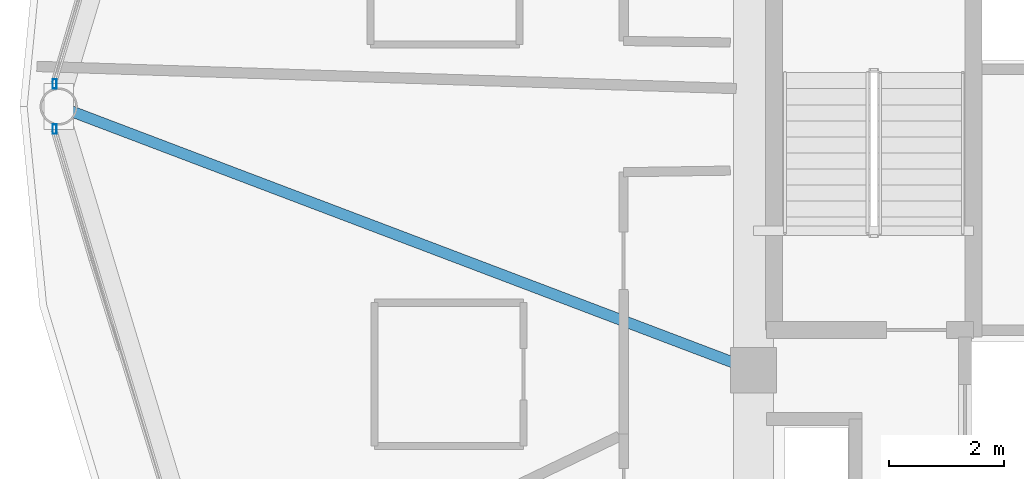
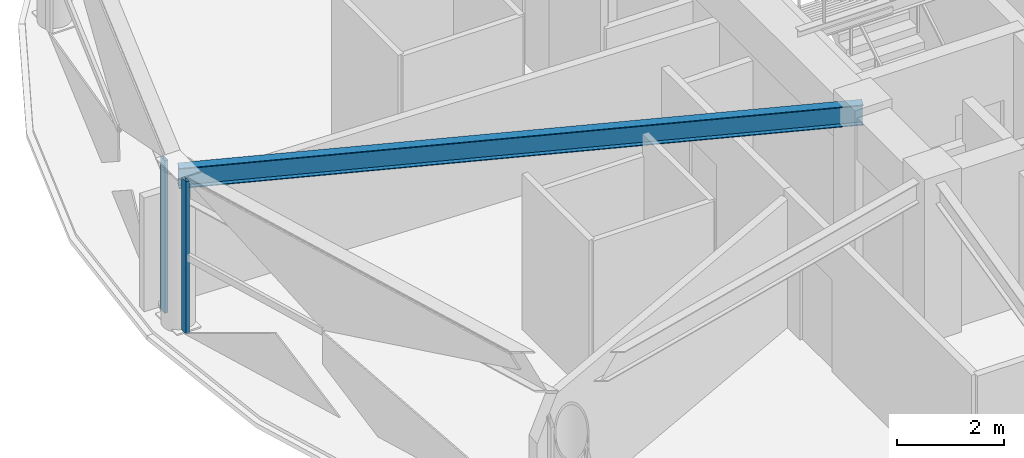
# One storey, part 7 of 28: 2 members, 1 beam, 2 elements without a shape of their own.
"""IFC4 building model written with IfcOpenShell, lengths in metres."""

from ifc_helpers import new_model, si_unit, direction, frame, origin, origin_2d, place, context, subcontext, project, spatial, hollow_rectangle, i_section, extrude, material, layer, layer_set, material_profile, profile_set, type_object, element, aggregate, save


model = new_model("IFC4")

# Units and contexts
model_context = context("Model", 3, precision=1e-05, world=origin(), true_north=direction((0.0, 1.0)))
body_context = subcontext(model_context, "Body", "Model", "MODEL_VIEW")
ifc_project = project(units=[si_unit("LENGTHUNIT", "METRE"), si_unit("AREAUNIT", "SQUARE_METRE"), si_unit("VOLUMEUNIT", "CUBIC_METRE"), si_unit("PLANEANGLEUNIT", "RADIAN"), si_unit("MASSUNIT", "GRAM", prefix="KILO")], contexts=[model_context])

# Site, building, storey
site_placement = place(None, origin())
site = spatial("IfcSite", under=ifc_project, at=site_placement, CompositionType="ELEMENT")
building_placement = place(site_placement, origin())
building = spatial("IfcBuilding", under=site, at=building_placement, Name="Vantalir Tower", CompositionType="ELEMENT")
storey_placement = place(building_placement, frame((0.0, 0.0, 238.64990234375)))
storey = spatial("IfcBuildingStorey", under=building, at=storey_placement, Name="L60", CompositionType="ELEMENT", Elevation=238.64990234375)

# Beam
ifc_material_1 = material(Name="Steel S355", Category="steel")
ifc_material_profile_1 = material_profile(ifc_material_1, i_section(OverallWidth=0.19189453125, OverallDepth=0.462890625, WebThickness=0.010498046875, FlangeThickness=0.017578125, at=origin_2d()), Name="Steel S355")
ifc_profile_set_1 = profile_set([ifc_material_profile_1], Name="Steel S355")
beam_type = type_object("IfcBeamType", Name="BM-RB-457x191", PredefinedType="BEAM", material=ifc_profile_set_1)
beam_placement = place(storey_placement, frame((9.781982421875, 25.0, 3.338134765625), z_axis=(0.934904236312, -0.354900083018, 0.0), x_axis=(0.354900083018, 0.934904236312, 0.0)))
element("IfcBeam", 1, at=beam_placement, inside=storey, type_object=beam_type, Name="L60 Radial Floor Beam 07", PredefinedType="BEAM", context=body_context, shape_type="SweptSolid", body=[
    extrude(i_section(OverallWidth=0.19189453125, OverallDepth=0.462890625, WebThickness=0.010498046875, FlangeThickness=0.017578125, at=origin_2d()), origin(), (0.0, 0.0, 1.0), 12.961669921875),
])

# Curtain wall, member
ifc_material_2 = material(Name="Champagne-silver PVDF aluminium and double-silver Low-E glass", Category="aluminium")
ifc_layer = layer(ifc_material_2, 0.2099609375)
ifc_layer_set = layer_set([ifc_layer], Name="Champagne-silver PVDF aluminium and double-silver Low-E glass")
curtain_wall_type = type_object("IfcCurtainWallType", Name="CW-DIAMOND-Z3", PredefinedType="USERDEFINED", material=ifc_layer_set)
curtain_wall_1_placement = place(storey_placement, origin())
curtain_wall_1 = element("IfcCurtainWall", 2, at=curtain_wall_1_placement, inside=storey, type_object=curtain_wall_type, Name="L60 Quilted Pyramid-Diamond Curtain Wall S06", ObjectType="UNITISED CURTAIN WALL", PredefinedType="USERDEFINED")
ifc_material_3 = material(Name="Champagne-silver PVDF aluminium 6063-T6", Category="aluminium")
ifc_material_profile_2 = material_profile(ifc_material_3, hollow_rectangle(XDim=0.070068359375, YDim=0.1650390625, WallThickness=0.00390625, at=origin_2d()), Name="Champagne-silver PVDF aluminium 6063-T6")
ifc_profile_set_2 = profile_set([ifc_material_profile_2], Name="Champagne-silver PVDF aluminium 6063-T6")
member_type = type_object("IfcMemberType", Name="CWM-165x70", PredefinedType="MULLION", material=ifc_profile_set_2)
member_1_placement = place(storey_placement, frame((9.7099609375, 25.39306640625, 0.045166015625), z_axis=(0.0, 0.0, 1.0), x_axis=(1.0, 0.0, 0.0)))
member_1 = element("IfcMember", 3, at=member_1_placement, type_object=member_type, Name="CW-L60-S06 Mullion 2", PredefinedType="MULLION", context=body_context, shape_type="SweptSolid", body=[
    extrude(hollow_rectangle(XDim=0.070068359375, YDim=0.1650390625, WallThickness=0.00390625, at=origin_2d()), origin(), (0.0, 0.0, 1.0), 3.47998046875),
])
aggregate(curtain_wall_1, [member_1])

curtain_wall_2_placement = place(storey_placement, origin())
curtain_wall_2 = element("IfcCurtainWall", 4, at=curtain_wall_2_placement, inside=storey, type_object=curtain_wall_type, Name="L60 Quilted Pyramid-Diamond Curtain Wall S07", ObjectType="UNITISED CURTAIN WALL", PredefinedType="USERDEFINED")
member_2_placement = place(storey_placement, frame((9.7099609375, 24.60693359375, 0.045166015625), z_axis=(0.0, 0.0, 1.0), x_axis=(1.0, 0.0, 0.0)))
member_2 = element("IfcMember", 5, at=member_2_placement, type_object=member_type, Name="CW-L60-S07 Mullion 1", PredefinedType="MULLION", context=body_context, shape_type="SweptSolid", body=[
    extrude(hollow_rectangle(XDim=0.070068359375, YDim=0.1650390625, WallThickness=0.00390625, at=origin_2d()), origin(), (0.0, 0.0, 1.0), 3.47998046875),
])
aggregate(curtain_wall_2, [member_2])

save(model, "model.ifc")
